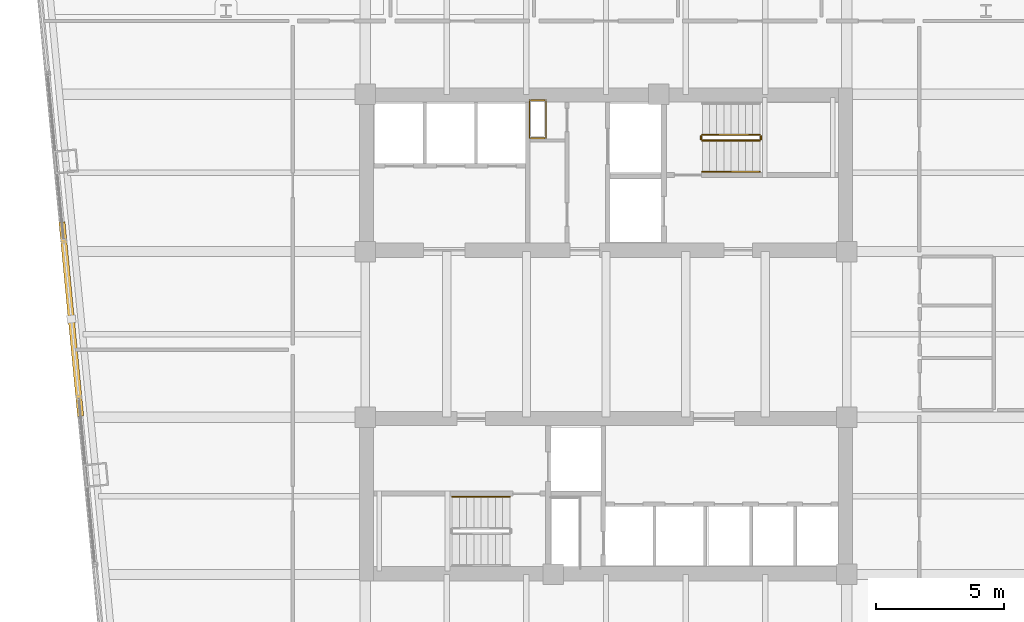
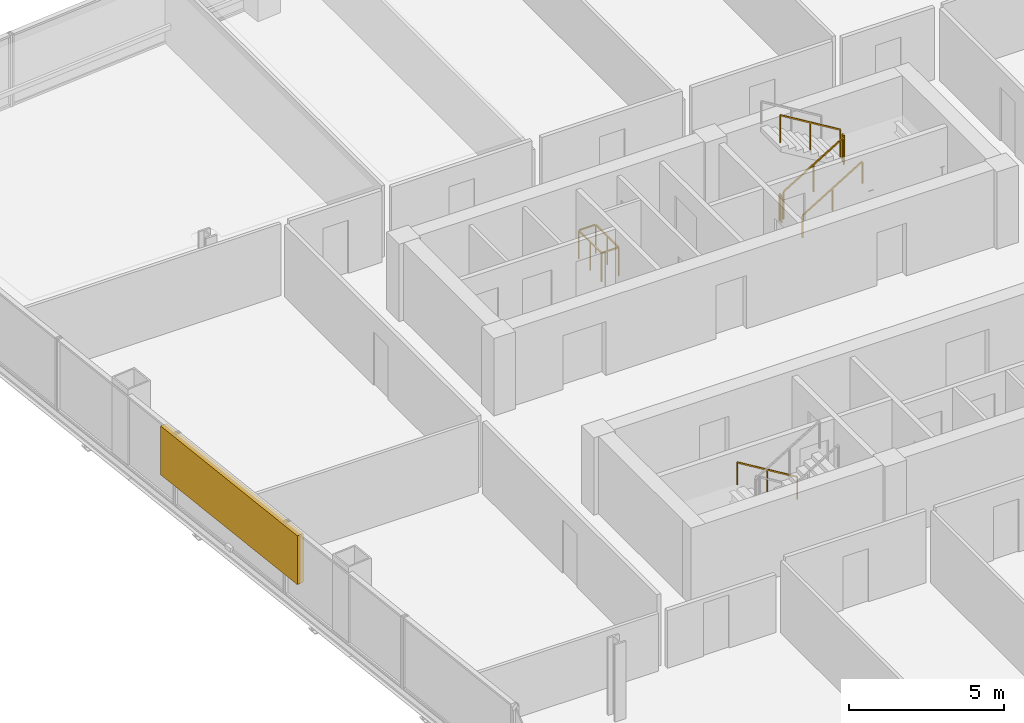
# One storey, part 33 of 34: 7 railings, 1 shading device.
"""IFC4 building model written with IfcOpenShell, lengths in metres."""

from ifc_helpers import new_model, si_unit, direction, frame, origin, origin_2d, place, context, subcontext, project, spatial, rectangle, extrude, material, type_object, element, save


model = new_model("IFC4")

# Units and contexts
model_context = context("Model", 3, precision=1e-05, world=origin(), true_north=direction((0.0, 1.0)))
body_context = subcontext(model_context, "Body", "Model", "MODEL_VIEW")
ifc_project = project(units=[si_unit("LENGTHUNIT", "METRE"), si_unit("AREAUNIT", "SQUARE_METRE"), si_unit("VOLUMEUNIT", "CUBIC_METRE"), si_unit("PLANEANGLEUNIT", "RADIAN"), si_unit("MASSUNIT", "GRAM", prefix="KILO")], contexts=[model_context])

# Site, building, storey
site_placement = place(None, origin())
site = spatial("IfcSite", under=ifc_project, at=site_placement, CompositionType="ELEMENT")
building_placement = place(site_placement, origin())
building = spatial("IfcBuilding", under=site, at=building_placement, Name="Qhalaya Broadcast Tower", CompositionType="ELEMENT")
storey_placement = place(building_placement, frame((0.0, 0.0, 78.60009765625)))
storey = spatial("IfcBuildingStorey", under=building, at=storey_placement, Name="L22", CompositionType="ELEMENT", Elevation=78.60009765625)

# Railings
ifc_material_1 = material(Name="Powder-Coated Galvanised Steel", Category="steel")
railing_type_1 = type_object("IfcRailingType", Name="Stair Wall Handrail 900", PredefinedType="HANDRAIL", material=ifc_material_1)
railing_1_placement = place(storey_placement, frame((3.75, 6.929931640625, 0.16943359375)))
element("IfcRailing", 1, at=railing_1_placement, inside=storey, type_object=railing_type_1, Name="L22 ST-1 Stair Handrail 1", PredefinedType="HANDRAIL", context=body_context, shape_type="SweptSolid", body=[
    extrude(rectangle(XDim=0.048095703125, YDim=0.048095703125, at=origin_2d()), frame((0.0, 0.0, 0.8759765625), z_axis=(0.855553338991, 0.0, 0.51771467445), x_axis=(0.0, 1.0, 0.0)), (0.0, 0.0, 1.0), 2.6181640625),
    extrude(rectangle(XDim=0.0419921875, YDim=0.0419921875, at=origin_2d()), origin(), (0.0, 0.0, 1.0), 0.849853515625),
    extrude(rectangle(XDim=0.0419921875, YDim=0.0419921875, at=origin_2d()), frame((1.1201171875, 0.0, 0.677734375)), (0.0, 0.0, 1.0), 0.849853515625),
    extrude(rectangle(XDim=0.0419921875, YDim=0.0419921875, at=origin_2d()), frame((2.239990234375, 0.0, 1.35546875)), (0.0, 0.0, 1.0), 0.849853515625),
])
railing_2_placement = place(storey_placement, frame((-3.75, -5.72998046875, 0.16943359375)))
element("IfcRailing", 2, at=railing_2_placement, inside=storey, type_object=railing_type_1, Name="L22 ST-2 Stair Handrail 1", PredefinedType="HANDRAIL", context=body_context, shape_type="SweptSolid", body=[
    extrude(rectangle(XDim=0.048095703125, YDim=0.048095703125, at=origin_2d()), frame((0.0, 0.0, 0.8759765625), z_axis=(-0.855553338991, 0.0, 0.51771467445), x_axis=(0.0, -1.0, 0.0)), (0.0, 0.0, 1.0), 2.6181640625),
    extrude(rectangle(XDim=0.0419921875, YDim=0.0419921875, at=origin_2d()), origin(), (0.0, 0.0, 1.0), 0.849853515625),
    extrude(rectangle(XDim=0.0419921875, YDim=0.0419921875, at=origin_2d()), frame((-1.1201171875, 0.0, 0.677734375)), (0.0, 0.0, 1.0), 0.849853515625),
    extrude(rectangle(XDim=0.0419921875, YDim=0.0419921875, at=origin_2d()), frame((-2.239990234375, 0.0, 1.35546875)), (0.0, 0.0, 1.0), 0.849853515625),
])
railing_type_2 = type_object("IfcRailingType", Name="Stair Well & Landing Guardrail 1100", PredefinedType="GUARDRAIL", material=ifc_material_1)
railing_3_placement = place(storey_placement, frame((-2.340087890625, 8.239990234375, 0.0)))
element("IfcRailing", 3, at=railing_3_placement, inside=storey, type_object=railing_type_2, Name="L22 Service Riser Opening Safety Guard NRSR", PredefinedType="GUARDRAIL", context=body_context, shape_type="SweptSolid", body=[
    extrude(rectangle(XDim=0.048095703125, YDim=0.048095703125, at=origin_2d()), frame((0.0, 0.02880859375, 1.1259765625), z_axis=(0.0, 1.0, 0.0), x_axis=(-1.0, 0.0, 0.0)), (0.0, 0.0, 1.0), 1.42236328125),
    extrude(rectangle(XDim=0.048095703125, YDim=0.048095703125, at=origin_2d()), frame((-0.02880859375, 1.47998046875, 1.1259765625), z_axis=(-1.0, 0.0, 0.0), x_axis=(0.0, -1.0, 0.0)), (0.0, 0.0, 1.0), 0.582275390625),
    extrude(rectangle(XDim=0.048095703125, YDim=0.048095703125, at=origin_2d()), frame((-0.639892578125, 1.451171875, 1.1259765625), z_axis=(0.0, -1.0, 0.0), x_axis=(1.0, 0.0, 0.0)), (0.0, 0.0, 1.0), 1.42236328125),
    extrude(rectangle(XDim=0.048095703125, YDim=0.048095703125, at=origin_2d()), frame((-0.611083984375, 0.0, 1.1259765625), z_axis=(1.0, 0.0, 0.0), x_axis=(0.0, 1.0, 0.0)), (0.0, 0.0, 1.0), 0.582275390625),
    extrude(rectangle(XDim=0.0419921875, YDim=0.0419921875, at=origin_2d()), origin(), (0.0, 0.0, 1.0), 1.099853515625),
    extrude(rectangle(XDim=0.0419921875, YDim=0.0419921875, at=origin_2d()), frame((0.0, 0.739990234375, 0.0)), (0.0, 0.0, 1.0), 1.099853515625),
    extrude(rectangle(XDim=0.0419921875, YDim=0.0419921875, at=origin_2d()), frame((0.0, 1.47998046875, 0.0)), (0.0, 0.0, 1.0), 1.099853515625),
    extrude(rectangle(XDim=0.0419921875, YDim=0.0419921875, at=origin_2d()), frame((-0.639892578125, 1.47998046875, 0.0)), (0.0, 0.0, 1.0), 1.099853515625),
    extrude(rectangle(XDim=0.0419921875, YDim=0.0419921875, at=origin_2d()), frame((-0.639892578125, 0.739990234375, 0.0)), (0.0, 0.0, 1.0), 1.099853515625),
    extrude(rectangle(XDim=0.0419921875, YDim=0.0419921875, at=origin_2d()), frame((-0.639892578125, 0.0, 0.0)), (0.0, 0.0, 1.0), 1.099853515625),
])
railing_4_placement = place(storey_placement, frame((3.75, 8.14990234375, 0.16943359375)))
element("IfcRailing", 4, at=railing_4_placement, inside=storey, type_object=railing_type_2, Name="L22 ST-1 Stair Guard 1", PredefinedType="GUARDRAIL", context=body_context, shape_type="SweptSolid", body=[
    extrude(rectangle(XDim=0.048095703125, YDim=0.048095703125, at=origin_2d()), frame((0.0, 0.0, 1.076171875), z_axis=(0.855553338991, 0.0, 0.51771467445), x_axis=(0.0, 1.0, 0.0)), (0.0, 0.0, 1.0), 2.6181640625),
    extrude(rectangle(XDim=0.0419921875, YDim=0.0419921875, at=origin_2d()), origin(), (0.0, 0.0, 1.0), 1.050048828125),
    extrude(rectangle(XDim=0.0419921875, YDim=0.0419921875, at=origin_2d()), frame((1.1201171875, 0.0, 0.677734375)), (0.0, 0.0, 1.0), 1.050048828125),
    extrude(rectangle(XDim=0.0419921875, YDim=0.0419921875, at=origin_2d()), frame((2.239990234375, 0.0, 1.35546875)), (0.0, 0.0, 1.0), 1.050048828125),
])
railing_5_placement = place(storey_placement, frame((6.0400390625, 8.199951171875, 1.52490234375)))
element("IfcRailing", 5, at=railing_5_placement, inside=storey, type_object=railing_type_2, Name="L22 ST-1 Stair Guard 2", PredefinedType="GUARDRAIL", context=body_context, shape_type="SweptSolid", body=[
    extrude(rectangle(XDim=0.048095703125, YDim=0.048095703125, at=origin_2d()), frame((0.0, 0.0, 1.076171875), z_axis=(0.0, 1.0, 0.0), x_axis=(-1.0, 0.0, 0.0)), (0.0, 0.0, 1.0), 0.1201171875),
    extrude(rectangle(XDim=0.0419921875, YDim=0.0419921875, at=origin_2d()), origin(), (0.0, 0.0, 1.0), 1.050048828125),
    extrude(rectangle(XDim=0.0419921875, YDim=0.0419921875, at=origin_2d()), frame((0.0, 0.1201171875, 0.0)), (0.0, 0.0, 1.0), 1.050048828125),
])
railing_6_placement = place(storey_placement, frame((5.989990234375, 8.3701171875, 1.6943359375)))
element("IfcRailing", 6, at=railing_6_placement, inside=storey, type_object=railing_type_2, Name="L22 ST-1 Stair Guard 3", PredefinedType="GUARDRAIL", context=body_context, shape_type="SweptSolid", body=[
    extrude(rectangle(XDim=0.048095703125, YDim=0.048095703125, at=origin_2d()), frame((0.0, 0.0, 1.076171875), z_axis=(-0.855553338991, 0.0, 0.51771467445), x_axis=(0.0, -1.0, 0.0)), (0.0, 0.0, 1.0), 2.6181640625),
    extrude(rectangle(XDim=0.0419921875, YDim=0.0419921875, at=origin_2d()), origin(), (0.0, 0.0, 1.0), 1.050048828125),
    extrude(rectangle(XDim=0.0419921875, YDim=0.0419921875, at=origin_2d()), frame((-1.1201171875, 0.0, 0.677734375)), (0.0, 0.0, 1.0), 1.050048828125),
    extrude(rectangle(XDim=0.0419921875, YDim=0.0419921875, at=origin_2d()), frame((-2.239990234375, 0.0, 1.35546875)), (0.0, 0.0, 1.0), 1.050048828125),
])
railing_7_placement = place(storey_placement, frame((3.699951171875, 8.199951171875, 0.0)))
element("IfcRailing", 7, at=railing_7_placement, inside=storey, type_object=railing_type_2, Name="L22 ST-1 Stair Guard 4", PredefinedType="GUARDRAIL", context=body_context, shape_type="SweptSolid", body=[
    extrude(rectangle(XDim=0.048095703125, YDim=0.048095703125, at=origin_2d()), frame((0.0, 0.0, 1.076171875), z_axis=(0.0, 1.0, 0.0), x_axis=(-1.0, 0.0, 0.0)), (0.0, 0.0, 1.0), 0.1201171875),
    extrude(rectangle(XDim=0.0419921875, YDim=0.0419921875, at=origin_2d()), origin(), (0.0, 0.0, 1.0), 1.050048828125),
    extrude(rectangle(XDim=0.0419921875, YDim=0.0419921875, at=origin_2d()), frame((0.0, 0.1201171875, 0.0)), (0.0, 0.0, 1.0), 1.050048828125),
])

# Shading device
ifc_material_2 = material(Name="Fired Architectural Terracotta", Category="masonry")
shading_device_type = type_object("IfcShadingDeviceType", Name="Terracotta Baguette Solar Screen Assembly TBS-01", PredefinedType="USERDEFINED", material=ifc_material_2)
shading_device_placement = place(storey_placement, frame((-20.827392578125, 1.193603515625, 0.79248046875), z_axis=(0.0, 0.0, 1.0), x_axis=(0.09584575252, -0.995396198367, 0.0)))
element("IfcShadingDevice", 8, at=shading_device_placement, inside=storey, type_object=shading_device_type, Name="L22 Fired Terracotta Baguette Screen W", ObjectType="BAGUETTE", PredefinedType="USERDEFINED", context=body_context, shape_type="SweptSolid", body=[
    extrude(rectangle(XDim=7.60009765625, YDim=0.239990234375, at=origin_2d()), origin(), (0.0, 0.0, 1.0), 1.924072265625),
])

save(model, "model.ifc")
